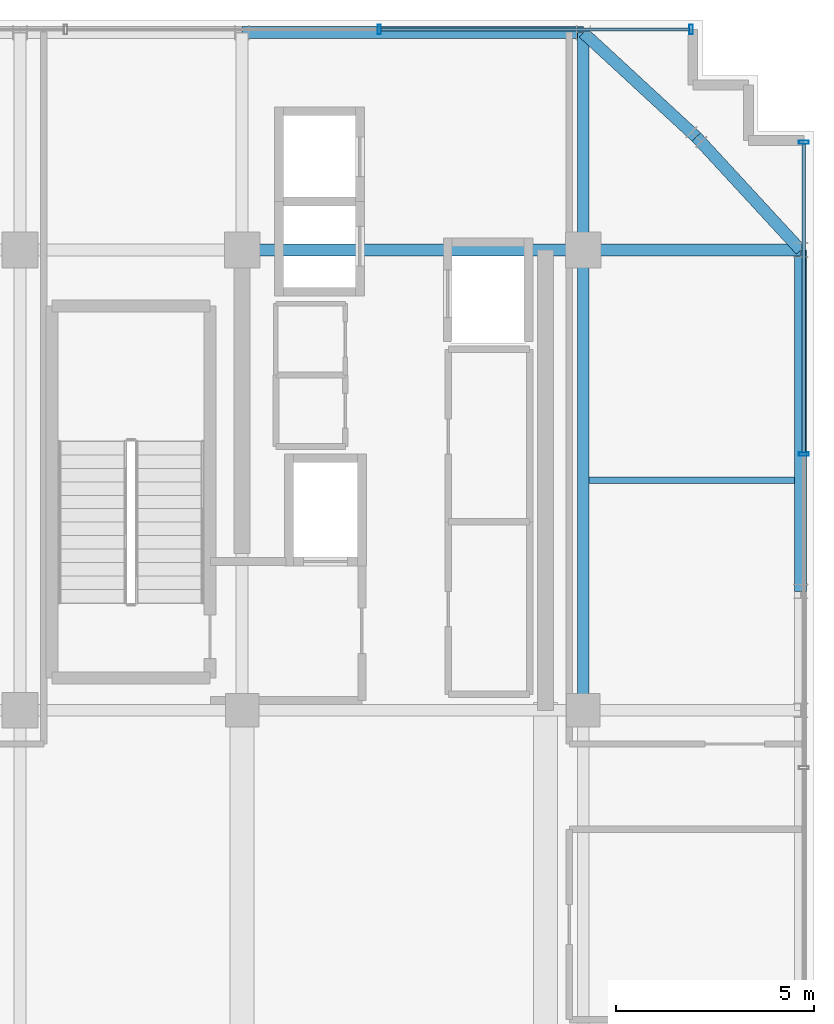
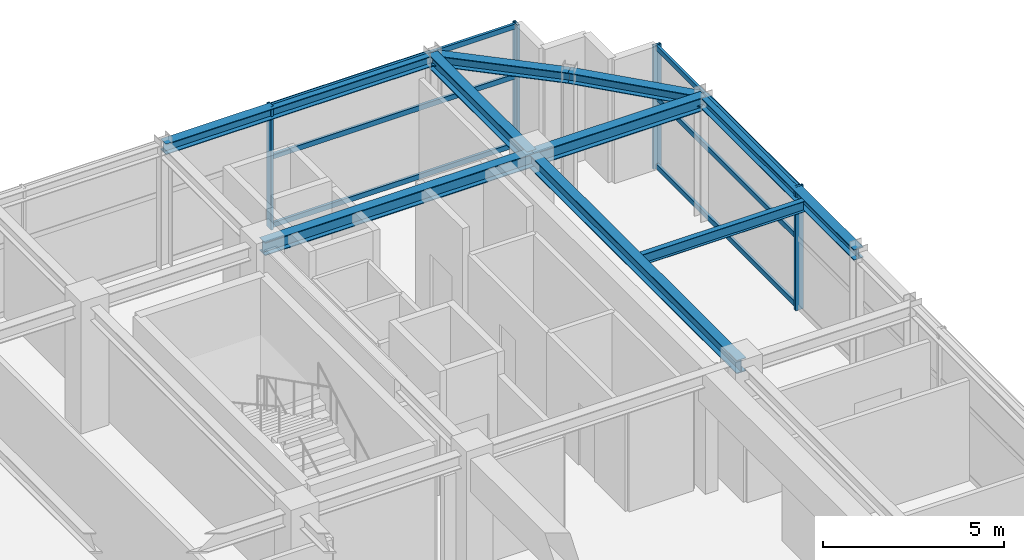
# One storey, part 15 of 20: 10 members, 9 beams, 2 elements without a shape of their own.
"""IFC4 building model written with IfcOpenShell, lengths in metres."""

from ifc_helpers import new_model, si_unit, direction, frame, origin, origin_2d, place, context, subcontext, project, spatial, hollow_rectangle, i_section, extrude, source, transform, mapped, material, material_profile, profile_set, type_object, element, aggregate, save


model = new_model("IFC4")

# Units and contexts
model_context = context("Model", 3, precision=1e-05, world=origin(), true_north=direction((0.0, 1.0)))
body_context = subcontext(model_context, "Body", "Model", "MODEL_VIEW")
ifc_project = project(units=[si_unit("LENGTHUNIT", "METRE"), si_unit("AREAUNIT", "SQUARE_METRE"), si_unit("VOLUMEUNIT", "CUBIC_METRE"), si_unit("PLANEANGLEUNIT", "RADIAN"), si_unit("MASSUNIT", "GRAM", prefix="KILO")], contexts=[model_context])

# Site, building, storey
site_placement = place(None, origin())
site = spatial("IfcSite", under=ifc_project, at=site_placement, CompositionType="ELEMENT")
building_placement = place(site_placement, origin())
building = spatial("IfcBuilding", under=site, at=building_placement, Name="Nahalor Promenade Grand Hotel", CompositionType="ELEMENT")
storey_placement = place(building_placement, frame((0.0, 0.0, 347.550048828125)))
storey = spatial("IfcBuildingStorey", under=building, at=storey_placement, Name="L89", CompositionType="ELEMENT", Elevation=347.550048828125)

# Beams
ifc_material_1 = material(Name="Steel S355JR", Category="steel")
ifc_material_profile_1 = material_profile(ifc_material_1, i_section(OverallWidth=0.3, OverallDepth=0.45, WebThickness=0.014, FlangeThickness=0.026, at=origin_2d()), Name="HEB 450")
ifc_profile_set_1 = profile_set([ifc_material_profile_1], Name="Steel S355JR")
beam_type_1 = type_object("IfcBeamType", Name="Beam-Girder-HEB450", PredefinedType="BEAM", material=ifc_profile_set_1)
shared_shape_1 = source(origin(), body_context, "Body", "SweptSolid", [
    extrude(i_section(OverallWidth=0.3, OverallDepth=0.45, WebThickness=0.014, FlangeThickness=0.026, at=origin_2d()), origin(), (0.0, 0.0, 1.0), 8.60009765625),
])
beam_1_placement = place(storey_placement, frame((8.39990234375, 17.0, 3.945068359375), z_axis=(1.0, 0.0, 0.0), x_axis=(0.0, 1.0, 0.0)))
element("IfcBeam", 1, at=beam_1_placement, inside=storey, type_object=beam_type_1, Name="BM-L89-GX-3-5", PredefinedType="BEAM", context=body_context, shape_type="MappedRepresentation", body=[
    mapped(shared_shape_1, transform((0.0, 0.0, 0.0), scale=1.0)),
])
shared_shape_2 = source(origin(), body_context, "Body", "SweptSolid", [
    extrude(i_section(OverallWidth=0.3, OverallDepth=0.45, WebThickness=0.014, FlangeThickness=0.026, at=origin_2d()), origin(), (0.0, 0.0, 1.0), 11.60009765625),
])
beam_2_placement = place(storey_placement, frame((17.0, 5.39990234375, 3.945068359375), z_axis=(0.0, 1.0, 0.0), x_axis=(-1.0, 0.0, 0.0)))
element("IfcBeam", 2, at=beam_2_placement, inside=storey, type_object=beam_type_1, Name="BM-L89-GY-5-3", PredefinedType="BEAM", context=body_context, shape_type="MappedRepresentation", body=[
    mapped(shared_shape_2, transform((0.0, 0.0, 0.0), scale=1.0)),
])
shared_shape_3 = source(origin(), body_context, "Body", "SweptSolid", [
    extrude(i_section(OverallWidth=0.3, OverallDepth=0.45, WebThickness=0.014, FlangeThickness=0.026, at=origin_2d()), origin(), (0.0, 0.0, 1.0), 5.47998046875),
])
for number, where, z_axis, x_axis, name in (
    (3, (17.0, 17.0, 3.945068359375), (1.0, 0.0, 0.0), (0.0, 1.0, 0.0), "BM-L89-GX-3-6"),
    (4, (17.0, 17.0, 3.945068359375), (0.0, 1.0, 0.0), (-1.0, 0.0, 0.0), "BM-L89-GY-5-4"),
):
    element("IfcBeam", number, at=place(storey_placement, frame(where, z_axis=z_axis, x_axis=x_axis)), inside=storey, type_object=beam_type_1, Name=name, PredefinedType="BEAM", context=body_context, shape_type="MappedRepresentation", body=[
        mapped(shared_shape_3, transform((0.0, 0.0, 0.0), scale=1.0)),
    ])
ifc_material_profile_2 = material_profile(ifc_material_1, i_section(OverallWidth=0.3, OverallDepth=0.36, WebThickness=0.0125, FlangeThickness=0.0225, at=origin_2d()), Name="HEB 360")
ifc_profile_set_2 = profile_set([ifc_material_profile_2], Name="Steel S355JR")
beam_type_2 = type_object("IfcBeamType", Name="Beam-Spandrel-HEB360", PredefinedType="SPANDREL", material=ifc_profile_set_2)
shared_shape_4 = source(origin(), body_context, "Body", "SweptSolid", [
    extrude(i_section(OverallWidth=0.3, OverallDepth=0.36, WebThickness=0.0125, FlangeThickness=0.0225, at=origin_2d()), origin(), (0.0, 0.0, 1.0), 8.60009765625),
])
for number, where, z_axis, x_axis, name in (
    (5, (8.39990234375, 22.47998046875, 3.989990234375), (1.0, 0.0, 0.0), (0.0, 1.0, 0.0), "BM-L89-SP-N-4"),
    (6, (22.47998046875, 8.39990234375, 3.989990234375), (0.0, 1.0, 0.0), (-1.0, 0.0, 0.0), "BM-L89-SP-E-4"),
):
    element("IfcBeam", number, at=place(storey_placement, frame(where, z_axis=z_axis, x_axis=x_axis)), inside=storey, type_object=beam_type_2, Name=name, PredefinedType="SPANDREL", context=body_context, shape_type="MappedRepresentation", body=[
        mapped(shared_shape_4, transform((0.0, 0.0, 0.0), scale=1.0)),
    ])
shared_shape_5 = source(origin(), body_context, "Body", "SweptSolid", [
    extrude(i_section(OverallWidth=0.3, OverallDepth=0.36, WebThickness=0.0125, FlangeThickness=0.0225, at=origin_2d()), origin(), (0.0, 0.0, 1.0), 3.878173828125),
])
for number, where, z_axis, x_axis, name in (
    (7, (17.0, 22.47998046875, 3.989990234375), (0.73492893846, -0.678144125843, 0.0), (0.678144125843, 0.73492893846, 0.0), "BM-L89-SPC-NE-1"),
    (8, (19.85009765625, 19.85009765625, 3.989990234375), (0.678144125843, -0.73492893846, 0.0), (0.73492893846, 0.678144125843, 0.0), "BM-L89-SPC-NE-2"),
):
    element("IfcBeam", number, at=place(storey_placement, frame(where, z_axis=z_axis, x_axis=x_axis)), inside=storey, type_object=beam_type_2, Name=name, PredefinedType="SPANDREL", context=body_context, shape_type="MappedRepresentation", body=[
        mapped(shared_shape_5, transform((0.0, 0.0, 0.0), scale=1.0)),
    ])
ifc_material_profile_3 = material_profile(ifc_material_1, i_section(OverallWidth=0.17, OverallDepth=0.36, WebThickness=0.008, FlangeThickness=0.0127, at=origin_2d()), Name="IPE 360")
ifc_profile_set_3 = profile_set([ifc_material_profile_3], Name="Steel S355JR")
beam_type_3 = type_object("IfcBeamType", Name="Beam-Joist-IPE360", PredefinedType="JOIST", material=ifc_profile_set_3)
shared_shape_6 = source(origin(), body_context, "Body", "SweptSolid", [
    extrude(i_section(OverallWidth=0.17, OverallDepth=0.36, WebThickness=0.008, FlangeThickness=0.0127, at=origin_2d()), origin(), (0.0, 0.0, 1.0), 5.18017578125),
])
beam_3_placement = place(storey_placement, frame((17.14990234375, 11.199951171875, 3.989990234375), z_axis=(1.0, 0.0, 0.0), x_axis=(0.0, 1.0, 0.0)))
element("IfcBeam", 9, at=beam_3_placement, inside=storey, type_object=beam_type_3, Name="BM-L89-JSE-1-2", PredefinedType="JOIST", context=body_context, shape_type="MappedRepresentation", body=[
    mapped(shared_shape_6, transform((0.0, 0.0, 0.0), scale=1.0)),
])

# Curtain wall, members
ifc_material_2 = material(Name="Anodised Bronze Aluminium EN AW-6063 T6", Category="aluminium")
curtain_wall_type = type_object("IfcCurtainWallType", Name="CW5 Sky-Lobby & Observation Panoramic Curtain Wall", PredefinedType="USERDEFINED", material=ifc_material_2)
curtain_wall_1_placement = place(storey_placement, origin())
curtain_wall_1 = element("IfcCurtainWall", 10, at=curtain_wall_1_placement, inside=storey, type_object=curtain_wall_type, Name="L89 Curtain Wall CW-L89-N-1", ObjectType="UNITISED_CURTAIN_WALL", PredefinedType="USERDEFINED")
ifc_material_profile_4 = material_profile(ifc_material_2, hollow_rectangle(XDim=0.085, YDim=0.25, WallThickness=0.006, at=origin_2d()), Name="CWM 85x250x6")
ifc_profile_set_4 = profile_set([ifc_material_profile_4], Name="Anodised Bronze Aluminium EN AW-6063 T6")
member_type_1 = type_object("IfcMemberType", Name="CWM5 Panoramic Deep Mullion 85x250", PredefinedType="MULLION", material=ifc_profile_set_4)
shared_shape_7 = source(origin(), body_context, "Body", "SweptSolid", [
    extrude(hollow_rectangle(XDim=0.085, YDim=0.25, WallThickness=0.006, at=origin_2d()), origin(), (0.0, 0.0, 1.0), 4.169921875),
])
member_1_placement = place(storey_placement, frame((11.85595703125, 22.56005859375, 0.0), z_axis=(0.0, 0.0, 1.0), x_axis=(1.0, 0.0, 0.0)))
member_1 = element("IfcMember", 11, at=member_1_placement, type_object=member_type_1, Name="CW-L89-N-1 Mullion 4", PredefinedType="MULLION", context=body_context, shape_type="MappedRepresentation", body=[
    mapped(shared_shape_7, transform((0.0, 0.0, 0.0), scale=1.0)),
])
member_2_placement = place(storey_placement, frame((19.717529296875, 22.56005859375, 0.0), z_axis=(0.0, 0.0, 1.0), x_axis=(1.0, 0.0, 0.0)))
member_2 = element("IfcMember", 12, at=member_2_placement, type_object=member_type_1, Name="CW-L89-N-1 Mullion 5", PredefinedType="MULLION", context=body_context, shape_type="MappedRepresentation", body=[
    mapped(shared_shape_7, transform((0.0, 0.0, 0.0), scale=1.0)),
])

curtain_wall_2_placement = place(storey_placement, origin())
curtain_wall_2 = element("IfcCurtainWall", 13, at=curtain_wall_2_placement, inside=storey, type_object=curtain_wall_type, Name="L89 Curtain Wall CW-L89-E-1", ObjectType="UNITISED_CURTAIN_WALL", PredefinedType="USERDEFINED")
member_3_placement = place(storey_placement, frame((22.56005859375, 11.85595703125, 0.0), z_axis=(0.0, 0.0, 1.0), x_axis=(0.0, 1.0, 0.0)))
member_3 = element("IfcMember", 14, at=member_3_placement, type_object=member_type_1, Name="CW-L89-E-1 Mullion 4", PredefinedType="MULLION", context=body_context, shape_type="MappedRepresentation", body=[
    mapped(shared_shape_7, transform((0.0, 0.0, 0.0), scale=1.0)),
])
member_4_placement = place(storey_placement, frame((22.56005859375, 19.717529296875, 0.0), z_axis=(0.0, 0.0, 1.0), x_axis=(0.0, 1.0, 0.0)))
member_4 = element("IfcMember", 15, at=member_4_placement, type_object=member_type_1, Name="CW-L89-E-1 Mullion 5", PredefinedType="MULLION", context=body_context, shape_type="MappedRepresentation", body=[
    mapped(shared_shape_7, transform((0.0, 0.0, 0.0), scale=1.0)),
])

# Member
ifc_material_profile_5 = material_profile(ifc_material_2, hollow_rectangle(XDim=0.085, YDim=0.17, WallThickness=0.005, at=origin_2d()), Name="CWT 85x170x5")
ifc_profile_set_5 = profile_set([ifc_material_profile_5], Name="Anodised Bronze Aluminium EN AW-6063 T6")
member_type_2 = type_object("IfcMemberType", Name="CWT5 Panoramic Transom 85x170", PredefinedType="USERDEFINED", material=ifc_profile_set_5)
shared_shape_8 = source(origin(), body_context, "Body", "SweptSolid", [
    extrude(hollow_rectangle(XDim=0.085, YDim=0.17, WallThickness=0.005, at=origin_2d()), origin(), (0.0, 0.0, 1.0), 7.776611328125),
])
member_5_placement = place(storey_placement, frame((11.8984375, 22.56005859375, 0.0849609375), z_axis=(1.0, 0.0, 0.0), x_axis=(0.0, 1.0, 0.0)))
member_5 = element("IfcMember", 16, at=member_5_placement, type_object=member_type_2, Name="CW-L89-N-1 Transom 4-0", ObjectType="TRANSOM", PredefinedType="USERDEFINED", context=body_context, shape_type="MappedRepresentation", body=[
    mapped(shared_shape_8, transform((0.0, 0.0, 0.0), scale=1.0)),
])

member_6_placement = place(storey_placement, frame((11.8984375, 22.56005859375, 2.39990234375), z_axis=(1.0, 0.0, 0.0), x_axis=(0.0, 1.0, 0.0)))
member_6 = element("IfcMember", 17, at=member_6_placement, type_object=member_type_2, Name="CW-L89-N-1 Transom 4-1", ObjectType="TRANSOM", PredefinedType="USERDEFINED", context=body_context, shape_type="MappedRepresentation", body=[
    mapped(shared_shape_8, transform((0.0, 0.0, 0.0), scale=1.0)),
])

member_7_placement = place(storey_placement, frame((11.8984375, 22.56005859375, 4.0849609375), z_axis=(1.0, 0.0, 0.0), x_axis=(0.0, 1.0, 0.0)))
member_7 = element("IfcMember", 18, at=member_7_placement, type_object=member_type_2, Name="CW-L89-N-1 Transom 4-2", ObjectType="TRANSOM", PredefinedType="USERDEFINED", context=body_context, shape_type="MappedRepresentation", body=[
    mapped(shared_shape_8, transform((0.0, 0.0, 0.0), scale=1.0)),
])

aggregate(curtain_wall_1, [member_1, member_2, member_5, member_6, member_7])

member_8_placement = place(storey_placement, frame((22.56005859375, 11.8984375, 0.0849609375), z_axis=(0.0, 1.0, 0.0), x_axis=(-1.0, 0.0, 0.0)))
member_8 = element("IfcMember", 19, at=member_8_placement, type_object=member_type_2, Name="CW-L89-E-1 Transom 4-0", ObjectType="TRANSOM", PredefinedType="USERDEFINED", context=body_context, shape_type="MappedRepresentation", body=[
    mapped(shared_shape_8, transform((0.0, 0.0, 0.0), scale=1.0)),
])

member_9_placement = place(storey_placement, frame((22.56005859375, 11.8984375, 2.39990234375), z_axis=(0.0, 1.0, 0.0), x_axis=(-1.0, 0.0, 0.0)))
member_9 = element("IfcMember", 20, at=member_9_placement, type_object=member_type_2, Name="CW-L89-E-1 Transom 4-1", ObjectType="TRANSOM", PredefinedType="USERDEFINED", context=body_context, shape_type="MappedRepresentation", body=[
    mapped(shared_shape_8, transform((0.0, 0.0, 0.0), scale=1.0)),
])

member_10_placement = place(storey_placement, frame((22.56005859375, 11.8984375, 4.0849609375), z_axis=(0.0, 1.0, 0.0), x_axis=(-1.0, 0.0, 0.0)))
member_10 = element("IfcMember", 21, at=member_10_placement, type_object=member_type_2, Name="CW-L89-E-1 Transom 4-2", ObjectType="TRANSOM", PredefinedType="USERDEFINED", context=body_context, shape_type="MappedRepresentation", body=[
    mapped(shared_shape_8, transform((0.0, 0.0, 0.0), scale=1.0)),
])

aggregate(curtain_wall_2, [member_3, member_4, member_8, member_9, member_10])

save(model, "model.ifc")
